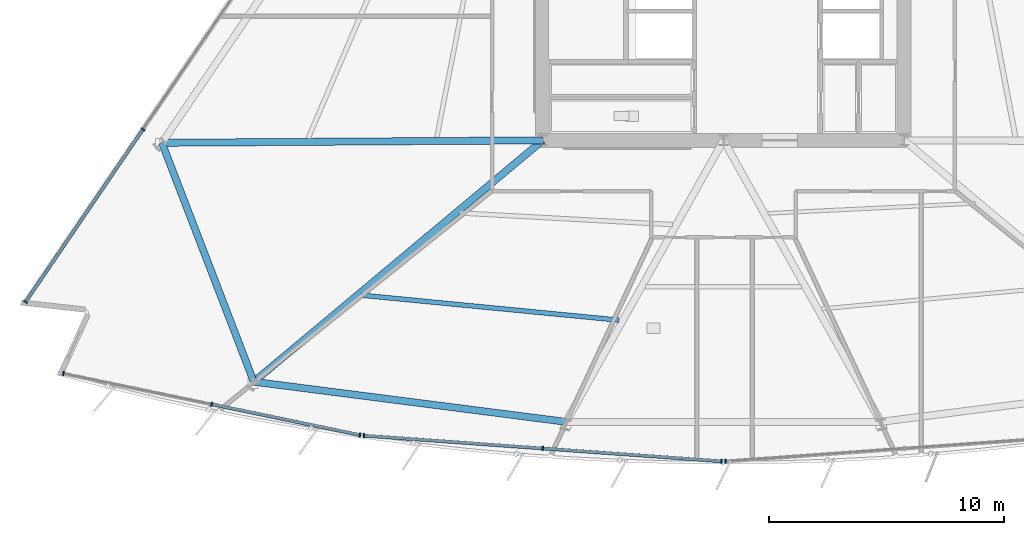
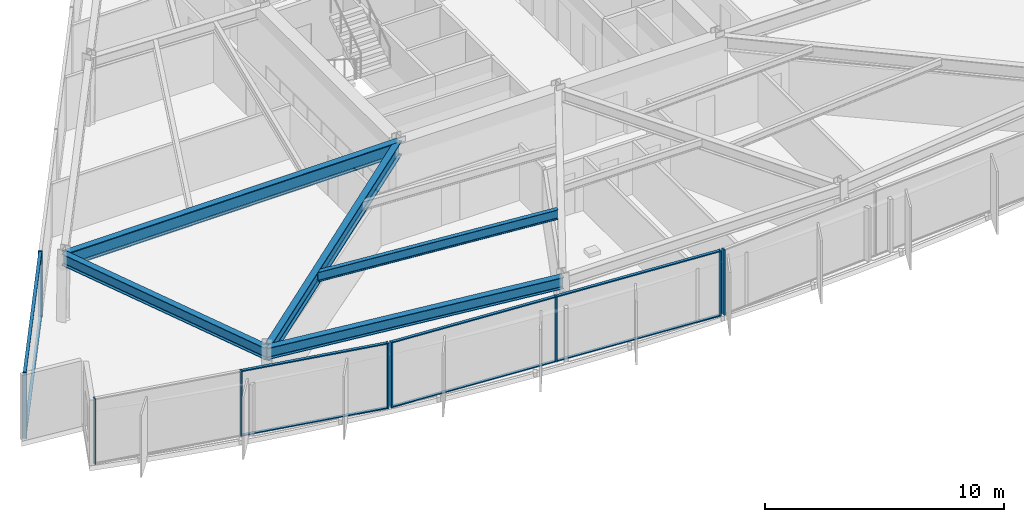
# One storey, part 2 of 18: 17 members, 5 beams, 4 elements without a shape of their own.
"""IFC4 building model written with IfcOpenShell, lengths in metres."""

import ifcopenshell
import ifcopenshell.guid

model = None  # the IFC model being written
_history = None  # IfcOwnerHistory: only IFC2X3 demands one
_inside = {}  # id of a spatial element -> (the spatial element, [elements in it])
_under = {}  # id of a project, library or spatial element -> (it, [spatial elements below it])
_declared = {}  # id of a project -> (the project, [libraries it declares])
_typed = {}  # id of a type object -> (the type object, [elements of that type])
_made_of = {}  # id of a material, layer set ... -> (it, [elements and type objects made of it])


def new_model(schema):
    """Start an empty IFC model of exactly this schema.

    Asked for "IFC4X3", IfcOpenShell would pick the latest addendum, in which some entities
    have other attributes; the version numbers below select the first issue.
    IFC2X3 requires an IfcOwnerHistory on every rooted entity: one is made here for all.
    """
    global model, _history
    if schema == "IFC4X3":
        model = ifcopenshell.file(schema_version=(4, 3, 0, 0))
    else:
        model = ifcopenshell.file(schema=schema)
    _inside.clear()
    _under.clear()
    _declared.clear()
    _typed.clear()
    _made_of.clear()
    _history = None
    if model.schema == "IFC2X3":
        org = make("IfcOrganization", Name="unknown")
        user = make(
            "IfcPersonAndOrganization",
            ThePerson=make("IfcPerson", FamilyName="unknown"),
            TheOrganization=org,
        )
        app = make(
            "IfcApplication",
            ApplicationDeveloper=org,
            Version="unknown",
            ApplicationFullName="unknown",
            ApplicationIdentifier="unknown",
        )
        _history = make(
            "IfcOwnerHistory",
            OwningUser=user,
            OwningApplication=app,
            ChangeAction="ADDED",
            CreationDate=0,
        )
    return model


def make(cls, **values):
    """One entity of the class cls with the attributes given. An attribute that is None is left unset."""
    return model.create_entity(
        cls, **{name: value for name, value in values.items() if value is not None}
    )


def rooted(cls, **values):
    """An entity with a GlobalId (a new one), such as an element, a storey or a relation."""
    return make(cls, GlobalId=ifcopenshell.guid.new(), OwnerHistory=_history, **values)


def si_unit(unit_type, name, prefix=None):
    """IfcSIUnit, for example si_unit("LENGTHUNIT", "METRE", prefix="MILLI")."""
    return make("IfcSIUnit", UnitType=unit_type, Prefix=prefix, Name=name)


def assignment(units):
    """IfcUnitAssignment: the units of a project."""
    return None if units is None else make("IfcUnitAssignment", Units=units)


def point(xyz):
    """IfcCartesianPoint."""
    return None if xyz is None else make("IfcCartesianPoint", Coordinates=xyz)


def direction(xyz):
    """IfcDirection."""
    return None if xyz is None else make("IfcDirection", DirectionRatios=xyz)


def frame(location, z_axis=None, x_axis=None):
    """IfcAxis2Placement3D, a coordinate frame: its origin and axes. An axis left out is left unset."""
    return make(
        "IfcAxis2Placement3D",
        Location=point(location),
        Axis=direction(z_axis),
        RefDirection=direction(x_axis),
    )


def frame_2d(location, x_axis=None):
    """IfcAxis2Placement2D, a coordinate frame in the plane: its origin and x axis."""
    return make(
        "IfcAxis2Placement2D", Location=point(location), RefDirection=direction(x_axis)
    )


def origin():
    """The frame at (0, 0, 0) with its axes left unset."""
    return frame((0.0, 0.0, 0.0))


def origin_2d():
    """The frame at (0, 0) in the plane with its x axis left unset."""
    return frame_2d((0.0, 0.0))


def place(relative_to, where):
    """IfcLocalPlacement: puts the frame where relative to a parent placement (None: the world)."""
    return make(
        "IfcLocalPlacement", PlacementRelTo=relative_to, RelativePlacement=where
    )


def context(
    kind, dimensions, precision=None, world=None, true_north=None, identifier=None
):
    """IfcGeometricRepresentationContext, for example the 3D "Model" context."""
    return make(
        "IfcGeometricRepresentationContext",
        ContextIdentifier=identifier,
        ContextType=kind,
        CoordinateSpaceDimension=dimensions,
        Precision=precision,
        WorldCoordinateSystem=world,
        TrueNorth=true_north,
    )


def subcontext(parent, identifier, kind, view, scale=None):
    """IfcGeometricRepresentationSubContext, for example "Body" below "Model"."""
    return make(
        "IfcGeometricRepresentationSubContext",
        ContextIdentifier=identifier,
        ContextType=kind,
        ParentContext=parent,
        TargetScale=scale,
        TargetView=view,
    )


def project(units=None, contexts=None):
    """IfcProject with its units and contexts."""
    return rooted(
        "IfcProject",
        Name="project",
        RepresentationContexts=contexts,
        UnitsInContext=assignment(units),
    )


def spatial(cls, under=None, at=None, **own):
    """A site, building, storey or space (cls), placed at a placement, below another one or the project."""
    s = rooted(cls, ObjectPlacement=at, **own)
    if under is not None:
        _under.setdefault(under.id(), (under, []))[1].append(s)
    return s


def profile(cls, at=None, kind="AREA", **sizes):
    """A parametric profile (cls). Its sizes go by their IFC names, for example OverallWidth=200.0."""
    return make(cls, ProfileType=kind, Position=at, **sizes)


def rectangle(**sizes):
    """IfcRectangleProfileDef."""
    return profile("IfcRectangleProfileDef", **sizes)


def i_section(**sizes):
    """IfcIShapeProfileDef."""
    return profile("IfcIShapeProfileDef", **sizes)


def extrude(swept, where, along, depth):
    """IfcExtrudedAreaSolid: the profile swept, set in the frame where, extruded along a direction by depth."""
    return make(
        "IfcExtrudedAreaSolid",
        SweptArea=swept,
        Position=where,
        ExtrudedDirection=direction(along),
        Depth=depth,
    )


def shape(context_of_items, identifier, shape_type, items):
    """IfcShapeRepresentation: the items that make up one representation, for example the "Body"."""
    return make(
        "IfcShapeRepresentation",
        ContextOfItems=context_of_items,
        RepresentationIdentifier=identifier,
        RepresentationType=shape_type,
        Items=items,
    )


def material(Name=None, Category=None):
    """IfcMaterial."""
    return make("IfcMaterial", Name=Name, Category=Category)


def material_profile(
    of_material, cross_section, Name=None, Category=None, Priority=None
):
    """IfcMaterialProfile: a cross section and its material."""
    return make(
        "IfcMaterialProfile",
        Name=Name,
        Material=of_material,
        Profile=cross_section,
        Priority=Priority,
        Category=Category,
    )


def profile_set(profiles, Name=None, composite=None):
    """IfcMaterialProfileSet."""
    return make(
        "IfcMaterialProfileSet",
        Name=Name,
        MaterialProfiles=profiles,
        CompositeProfile=composite,
    )


def made_of(thing, what):
    """Note that an element or type object is made of a material, layer set ...; save() writes the relation."""
    if what is not None:
        _made_of.setdefault(what.id(), (what, []))[1].append(thing)
    return thing


def type_object(cls, material=None, **own):
    """A type object (cls), such as IfcWallType, which elements share."""
    return made_of(rooted(cls, **own), material)


def element(
    cls,
    number,
    at=None,
    inside=None,
    cuts=None,
    type_object=None,
    material=None,
    context=None,
    identifier="Body",
    shape_type=None,
    held_by="IfcProductDefinitionShape",
    body=None,
    shapes=None,
    **own,
):
    """One element of the class cls, such as IfcWall. Its Tag is "e" and its number.

    at: its placement. inside: the storey or other place that contains it. cuts: it is an
    opening in that element (IfcRelVoidsElement). A single representation is given by context,
    identifier, shape_type and body (its items); several are given by shapes. held_by: the class
    of the entity that holds the representations. save() writes the other relations.
    """
    e = rooted(cls, Tag="e%d" % number, ObjectPlacement=at, **own)
    if body is not None:
        shapes = [shape(context, identifier, shape_type, body)]
    if shapes is not None:
        e.Representation = make(held_by, Representations=shapes)
    if inside is not None:
        _inside.setdefault(inside.id(), (inside, []))[1].append(e)
    if cuts is not None:
        rooted(
            "IfcRelVoidsElement", RelatingBuildingElement=cuts, RelatedOpeningElement=e
        )
    if type_object is not None:
        _typed.setdefault(type_object.id(), (type_object, []))[1].append(e)
    return made_of(e, material)


def aggregate(whole, parts):
    """IfcRelAggregates: a whole, such as a stair, and the parts it consists of."""
    return rooted("IfcRelAggregates", RelatingObject=whole, RelatedObjects=parts)


def save(model, path):
    """Write the relations noted so far, then the file.

    IfcRelAggregates (storeys below a building ...), IfcRelContainedInSpatialStructure (elements
    in a storey), IfcRelDefinesByType, IfcRelAssociatesMaterial and IfcRelDeclares: one each for
    every whole, place, type object, material and project.
    """
    for whole, parts in _under.values():
        aggregate(whole, parts)
    for where, things in _inside.values():
        rooted(
            "IfcRelContainedInSpatialStructure",
            RelatedElements=things,
            RelatingStructure=where,
        )
    for kind, things in _typed.values():
        rooted("IfcRelDefinesByType", RelatedObjects=things, RelatingType=kind)
    for what, things in _made_of.values():
        rooted("IfcRelAssociatesMaterial", RelatedObjects=things, RelatingMaterial=what)
    for by, libraries in _declared.values():
        rooted("IfcRelDeclares", RelatingContext=by, RelatedDefinitions=libraries)
    model.write(path)


model = new_model("IFC4")

# Units and contexts
model_context = context("Model", 3, precision=1e-05, world=origin(), true_north=direction((0.0, 1.0)))
body_context = subcontext(model_context, "Body", "Model", "MODEL_VIEW")
ifc_project = project(units=[si_unit("LENGTHUNIT", "METRE"), si_unit("AREAUNIT", "SQUARE_METRE"), si_unit("VOLUMEUNIT", "CUBIC_METRE"), si_unit("PLANEANGLEUNIT", "RADIAN"), si_unit("MASSUNIT", "GRAM", prefix="KILO")], contexts=[model_context])

# Site, building, storey
site_placement = place(None, origin())
site = spatial("IfcSite", under=ifc_project, at=site_placement, CompositionType="ELEMENT")
building_placement = place(site_placement, origin())
building = spatial("IfcBuilding", under=site, at=building_placement, Name="Savorim Split Tower", CompositionType="ELEMENT")
storey_placement = place(building_placement, frame((0.0, 0.0, 40.800048828125)))
storey = spatial("IfcBuildingStorey", under=building, at=storey_placement, Name="L10", CompositionType="ELEMENT", Elevation=40.800048828125)

# Beams
ifc_material_1 = material(Name="Steel S355", Category="steel")
ifc_material_profile_1 = material_profile(ifc_material_1, i_section(OverallWidth=0.199951171875, OverallDepth=0.5, WebThickness=0.01025390625, FlangeThickness=0.01611328125, FilletRadius=0.02099609375, at=origin_2d()), Name="IPE 500")
ifc_profile_set_1 = profile_set([ifc_material_profile_1], Name="Steel S355")
beam_type_1 = type_object("IfcBeamType", Name="BM-JST-IPE500", PredefinedType="JOIST", material=ifc_profile_set_1)
beam_1_placement = place(storey_placement, frame((-15.42041015625, -15.9990234375, 3.099853515625), z_axis=(0.995341033183, -0.096416946968, 0.0), x_axis=(0.096416946968, 0.995341033183, 0.0)))
element("IfcBeam", 1, at=beam_1_placement, inside=storey, type_object=beam_type_1, Name="L10 Secondary Floor Joist JS-01", PredefinedType="JOIST", context=body_context, shape_type="SweptSolid", body=[
    extrude(i_section(OverallWidth=0.199951171875, OverallDepth=0.5, WebThickness=0.01025390625, FlangeThickness=0.01611328125, FilletRadius=0.02099609375, at=origin_2d()), origin(), (0.0, 0.0, 1.0), 11.019775390625),
])
ifc_material_2 = material(Name="Steel S460", Category="steel")
ifc_material_profile_2 = material_profile(ifc_material_2, i_section(OverallWidth=0.303955078125, OverallDepth=0.716064453125, WebThickness=0.02099609375, FlangeThickness=0.0400390625, FilletRadius=0.027099609375, at=origin_2d()), Name="HE 700 M")
ifc_profile_set_2 = profile_set([ifc_material_profile_2], Name="Steel S460")
beam_type_2 = type_object("IfcBeamType", Name="BM-PRI-HEM700", PredefinedType="BEAM", material=ifc_profile_set_2)
beam_2_placement = place(storey_placement, frame((-20.01171875, -19.68701171875, 2.991943359375), z_axis=(0.767383682, 0.641188181894, 0.0), x_axis=(-0.641188181894, 0.767383682, 0.0)))
element("IfcBeam", 2, at=beam_2_placement, inside=storey, type_object=beam_type_2, Name="L10 Primary Floor Girder RG-01", PredefinedType="BEAM", context=body_context, shape_type="SweptSolid", body=[
    extrude(i_section(OverallWidth=0.303955078125, OverallDepth=0.716064453125, WebThickness=0.02099609375, FlangeThickness=0.0400390625, FilletRadius=0.027099609375, at=origin_2d()), origin(), (0.0, 0.0, 1.0), 16.043701171875),
])
beam_3_placement = place(storey_placement, frame((-23.928955078125, -9.504150390625, 2.991943359375), z_axis=(0.999979369551, 0.006423431579, 0.0), x_axis=(-0.006423431579, 0.999979369551, 0.0)))
element("IfcBeam", 3, at=beam_3_placement, inside=storey, type_object=beam_type_2, Name="L10 Primary Floor Girder RG-10", PredefinedType="BEAM", context=body_context, shape_type="SweptSolid", body=[
    extrude(i_section(OverallWidth=0.303955078125, OverallDepth=0.716064453125, WebThickness=0.02099609375, FlangeThickness=0.0400390625, FilletRadius=0.027099609375, at=origin_2d()), origin(), (0.0, 0.0, 1.0), 16.229248046875),
])
ifc_material_profile_3 = material_profile(ifc_material_1, i_section(OverallWidth=0.300048828125, OverallDepth=0.590087890625, WebThickness=0.012939453125, FlangeThickness=0.02490234375, FilletRadius=0.027099609375, at=origin_2d()), Name="HEA 600")
ifc_profile_set_3 = profile_set([ifc_material_profile_3], Name="Steel S355")
beam_type_3 = type_object("IfcBeamType", Name="BM-SPN-HEA600", PredefinedType="SPANDREL", material=ifc_profile_set_3)
beam_4_placement = place(storey_placement, frame((-20.01171875, -19.68701171875, 3.054931640625), z_axis=(0.991860224278, -0.127331439538, 0.0), x_axis=(0.127331439538, 0.991860224278, 0.0)))
element("IfcBeam", 4, at=beam_4_placement, inside=storey, type_object=beam_type_3, Name="L10 Perimeter Spandrel Beam 1", PredefinedType="SPANDREL", context=body_context, shape_type="SweptSolid", body=[
    extrude(i_section(OverallWidth=0.300048828125, OverallDepth=0.590087890625, WebThickness=0.012939453125, FlangeThickness=0.02490234375, FilletRadius=0.027099609375, at=origin_2d()), origin(), (0.0, 0.0, 1.0), 13.413818359375),
])
beam_5_placement = place(storey_placement, frame((-23.928955078125, -9.504150390625, 3.054931640625), z_axis=(0.359039058171, -0.933322535198, 0.0), x_axis=(0.933322535198, 0.359039058171, 0.0)))
element("IfcBeam", 5, at=beam_5_placement, inside=storey, type_object=beam_type_3, Name="L10 Perimeter Spandrel Beam 10", PredefinedType="SPANDREL", context=body_context, shape_type="SweptSolid", body=[
    extrude(i_section(OverallWidth=0.300048828125, OverallDepth=0.590087890625, WebThickness=0.012939453125, FlangeThickness=0.02490234375, FilletRadius=0.027099609375, at=origin_2d()), origin(), (0.0, 0.0, 1.0), 10.910400390625),
])

# Curtain wall, members
ifc_material_3 = material(Name="Dark Ceramic-Fritted Insulated Glass", Category="glass")
curtain_wall_type = type_object("IfcCurtainWallType", Name="CW-TWR-FRIT-A", PredefinedType="NOTDEFINED", material=ifc_material_3)
curtain_wall_1_placement = place(storey_placement, origin())
curtain_wall_1 = element("IfcCurtainWall", 6, at=curtain_wall_1_placement, inside=storey, type_object=curtain_wall_type, Name="L10 Curtain Wall CW-L10-SF1", PredefinedType="NOTDEFINED")
ifc_material_4 = material(Name="Charcoal Anodised Aluminium", Category="aluminium")
ifc_material_profile_4 = material_profile(ifc_material_4, rectangle(XDim=0.179931640625, YDim=0.06494140625, at=origin_2d()), Name="ALU-M 180x65")
ifc_profile_set_4 = profile_set([ifc_material_profile_4], Name="Charcoal Anodised Aluminium")
member_type_1 = type_object("IfcMemberType", Name="CWM-180x65", PredefinedType="MULLION", material=ifc_profile_set_4)
member_1_placement = place(storey_placement, frame((-28.12841796875, -19.333740234375, 0.0), z_axis=(0.0, 0.0, 1.0), x_axis=(0.203210322793, 0.979135110549, 0.0)))
member_1 = element("IfcMember", 7, at=member_1_placement, type_object=member_type_1, Name="CW-02 mullion 1", PredefinedType="MULLION", context=body_context, shape_type="SweptSolid", body=[
    extrude(rectangle(XDim=0.179931640625, YDim=0.06494140625, at=origin_2d()), origin(), (0.0, 0.0, 1.0), 3.349853515625),
])
member_2_placement = place(storey_placement, frame((-21.807861328125, -20.6455078125, 0.0), z_axis=(0.0, 0.0, 1.0), x_axis=(0.203210322793, 0.979135110549, 0.0)))
member_2 = element("IfcMember", 8, at=member_2_placement, type_object=member_type_1, Name="CW-02 mullion 2", PredefinedType="MULLION", context=body_context, shape_type="SweptSolid", body=[
    extrude(rectangle(XDim=0.179931640625, YDim=0.06494140625, at=origin_2d()), origin(), (0.0, 0.0, 1.0), 3.349853515625),
])
member_3_placement = place(storey_placement, frame((-15.487548828125, -21.957275390625, 0.0), z_axis=(0.0, 0.0, 1.0), x_axis=(0.203210322793, 0.979135110549, 0.0)))
member_3 = element("IfcMember", 9, at=member_3_placement, type_object=member_type_1, Name="CW-02 mullion 3", PredefinedType="MULLION", context=body_context, shape_type="SweptSolid", body=[
    extrude(rectangle(XDim=0.179931640625, YDim=0.06494140625, at=origin_2d()), origin(), (0.0, 0.0, 1.0), 3.349853515625),
])

curtain_wall_2_placement = place(storey_placement, origin())
curtain_wall_2 = element("IfcCurtainWall", 10, at=curtain_wall_2_placement, inside=storey, type_object=curtain_wall_type, Name="L10 Curtain Wall CW-L10-SF2", PredefinedType="NOTDEFINED")
member_4_placement = place(storey_placement, frame((-15.320556640625, -21.98046875, 0.0), z_axis=(0.0, 0.0, 1.0), x_axis=(0.071560199658, 0.997436282589, 0.0)))
member_4 = element("IfcMember", 11, at=member_4_placement, type_object=member_type_1, Name="CW-02 mullion 1", PredefinedType="MULLION", context=body_context, shape_type="SweptSolid", body=[
    extrude(rectangle(XDim=0.179931640625, YDim=0.06494140625, at=origin_2d()), origin(), (0.0, 0.0, 1.0), 3.349853515625),
])
member_5_placement = place(storey_placement, frame((-7.7021484375, -22.527099609375, 0.0), z_axis=(0.0, 0.0, 1.0), x_axis=(0.071560199658, 0.997436282589, 0.0)))
member_5 = element("IfcMember", 12, at=member_5_placement, type_object=member_type_1, Name="CW-02 mullion 2", PredefinedType="MULLION", context=body_context, shape_type="SweptSolid", body=[
    extrude(rectangle(XDim=0.179931640625, YDim=0.06494140625, at=origin_2d()), origin(), (0.0, 0.0, 1.0), 3.349853515625),
])
member_6_placement = place(storey_placement, frame((-0.083740234375, -23.07373046875, 0.0), z_axis=(0.0, 0.0, 1.0), x_axis=(0.071560199658, 0.997436282589, 0.0)))
member_6 = element("IfcMember", 13, at=member_6_placement, type_object=member_type_1, Name="CW-02 mullion 3", PredefinedType="MULLION", context=body_context, shape_type="SweptSolid", body=[
    extrude(rectangle(XDim=0.179931640625, YDim=0.06494140625, at=origin_2d()), origin(), (0.0, 0.0, 1.0), 3.349853515625),
])

# Curtain wall, member
curtain_wall_3_placement = place(storey_placement, origin())
curtain_wall_3 = element("IfcCurtainWall", 14, at=curtain_wall_3_placement, inside=storey, type_object=curtain_wall_type, Name="L10 Curtain Wall CW-L10-SF3", PredefinedType="NOTDEFINED")
member_7_placement = place(storey_placement, frame((0.083740234375, -23.07373046875, 0.0), z_axis=(0.0, 0.0, 1.0), x_axis=(-0.071560199658, 0.997436282589, 0.0)))
member_7 = element("IfcMember", 15, at=member_7_placement, type_object=member_type_1, Name="CW-02 mullion 1", PredefinedType="MULLION", context=body_context, shape_type="SweptSolid", body=[
    extrude(rectangle(XDim=0.179931640625, YDim=0.06494140625, at=origin_2d()), origin(), (0.0, 0.0, 1.0), 3.349853515625),
])
aggregate(curtain_wall_3, [member_7])

# Curtain wall, members
curtain_wall_4_placement = place(storey_placement, origin())
curtain_wall_4 = element("IfcCurtainWall", 16, at=curtain_wall_4_placement, inside=storey, type_object=curtain_wall_type, Name="L10 Curtain Wall CW-L10-WEST", PredefinedType="NOTDEFINED")
member_8_placement = place(storey_placement, frame((-24.735107421875, -8.93408203125, 0.0), z_axis=(0.0, 0.0, 1.0), x_axis=(0.826820923165, -0.562465253164, 0.0)))
member_8 = element("IfcMember", 17, at=member_8_placement, type_object=member_type_1, Name="CW-02 mullion 4", PredefinedType="MULLION", context=body_context, shape_type="SweptSolid", body=[
    extrude(rectangle(XDim=0.179931640625, YDim=0.06494140625, at=origin_2d()), origin(), (0.0, 0.0, 1.0), 3.349853515625),
])
member_9_placement = place(storey_placement, frame((-29.73388671875, -16.2822265625, 0.0), z_axis=(0.0, 0.0, 1.0), x_axis=(0.826820923165, -0.562465253164, 0.0)))
member_9 = element("IfcMember", 18, at=member_9_placement, type_object=member_type_1, Name="CW-02 mullion 5", PredefinedType="MULLION", context=body_context, shape_type="SweptSolid", body=[
    extrude(rectangle(XDim=0.179931640625, YDim=0.06494140625, at=origin_2d()), origin(), (0.0, 0.0, 1.0), 3.349853515625),
])

# Member
ifc_material_profile_5 = material_profile(ifc_material_4, rectangle(XDim=0.139892578125, YDim=0.054931640625, at=origin_2d()), Name="ALU-T 140x55")
ifc_profile_set_5 = profile_set([ifc_material_profile_5], Name="Charcoal Anodised Aluminium")
member_type_2 = type_object("IfcMemberType", Name="CWT-140x55", PredefinedType="USERDEFINED", material=ifc_profile_set_5)
member_10_placement = place(storey_placement, frame((-21.776123046875, -20.652099609375, 0.02734375), z_axis=(0.979133980901, -0.203215765741, 0.0), x_axis=(0.203215765741, 0.979133980901, 0.0)))
member_10 = element("IfcMember", 19, at=member_10_placement, type_object=member_type_2, Name="CW-02 transom 2.1", ObjectType="TRANSOM", PredefinedType="USERDEFINED", context=body_context, shape_type="SweptSolid", body=[
    extrude(rectangle(XDim=0.139892578125, YDim=0.054931640625, at=origin_2d()), origin(), (0.0, 0.0, 1.0), 6.39013671875),
])

member_11_placement = place(storey_placement, frame((-21.776123046875, -20.652099609375, 3.322509765625), z_axis=(0.979133980901, -0.203215765741, 0.0), x_axis=(0.203215765741, 0.979133980901, 0.0)))
member_11 = element("IfcMember", 20, at=member_11_placement, type_object=member_type_2, Name="CW-02 transom 2.2", ObjectType="TRANSOM", PredefinedType="USERDEFINED", context=body_context, shape_type="SweptSolid", body=[
    extrude(rectangle(XDim=0.139892578125, YDim=0.054931640625, at=origin_2d()), origin(), (0.0, 0.0, 1.0), 6.39013671875),
])

aggregate(curtain_wall_1, [member_1, member_2, member_3, member_10, member_11])

member_12_placement = place(storey_placement, frame((-15.2880859375, -21.98291015625, 0.02734375), z_axis=(0.997437873969, -0.071538014879, 0.0), x_axis=(0.071538014879, 0.997437873969, 0.0)))
member_12 = element("IfcMember", 21, at=member_12_placement, type_object=member_type_2, Name="CW-02 transom 1.1", ObjectType="TRANSOM", PredefinedType="USERDEFINED", context=body_context, shape_type="SweptSolid", body=[
    extrude(rectangle(XDim=0.139892578125, YDim=0.054931640625, at=origin_2d()), origin(), (0.0, 0.0, 1.0), 7.57275390625),
])

member_13_placement = place(storey_placement, frame((-15.2880859375, -21.98291015625, 3.322509765625), z_axis=(0.997437873969, -0.071538014879, 0.0), x_axis=(0.071538014879, 0.997437873969, 0.0)))
member_13 = element("IfcMember", 22, at=member_13_placement, type_object=member_type_2, Name="CW-02 transom 1.2", ObjectType="TRANSOM", PredefinedType="USERDEFINED", context=body_context, shape_type="SweptSolid", body=[
    extrude(rectangle(XDim=0.139892578125, YDim=0.054931640625, at=origin_2d()), origin(), (0.0, 0.0, 1.0), 7.57275390625),
])

member_14_placement = place(storey_placement, frame((-7.669677734375, -22.529541015625, 0.02734375), z_axis=(0.997437873969, -0.071538014879, 0.0), x_axis=(0.071538014879, 0.997437873969, 0.0)))
member_14 = element("IfcMember", 23, at=member_14_placement, type_object=member_type_2, Name="CW-02 transom 2.1", ObjectType="TRANSOM", PredefinedType="USERDEFINED", context=body_context, shape_type="SweptSolid", body=[
    extrude(rectangle(XDim=0.139892578125, YDim=0.054931640625, at=origin_2d()), origin(), (0.0, 0.0, 1.0), 7.57275390625),
])

member_15_placement = place(storey_placement, frame((-7.669677734375, -22.529541015625, 3.322509765625), z_axis=(0.997437873969, -0.071538014879, 0.0), x_axis=(0.071538014879, 0.997437873969, 0.0)))
member_15 = element("IfcMember", 24, at=member_15_placement, type_object=member_type_2, Name="CW-02 transom 2.2", ObjectType="TRANSOM", PredefinedType="USERDEFINED", context=body_context, shape_type="SweptSolid", body=[
    extrude(rectangle(XDim=0.139892578125, YDim=0.054931640625, at=origin_2d()), origin(), (0.0, 0.0, 1.0), 7.57275390625),
])

aggregate(curtain_wall_2, [member_4, member_5, member_6, member_12, member_13, member_14, member_15])

member_16_placement = place(storey_placement, frame((-24.75341796875, -8.9609375, 0.02734375), z_axis=(-0.562460641037, -0.826824060659, 0.0), x_axis=(0.826824060659, -0.562460641037, 0.0)))
member_16 = element("IfcMember", 25, at=member_16_placement, type_object=member_type_2, Name="CW-02 transom 4.1", ObjectType="TRANSOM", PredefinedType="USERDEFINED", context=body_context, shape_type="SweptSolid", body=[
    extrude(rectangle(XDim=0.139892578125, YDim=0.054931640625, at=origin_2d()), origin(), (0.0, 0.0, 1.0), 8.822265625),
])

member_17_placement = place(storey_placement, frame((-24.75341796875, -8.9609375, 3.322509765625), z_axis=(-0.562460641037, -0.826824060659, 0.0), x_axis=(0.826824060659, -0.562460641037, 0.0)))
member_17 = element("IfcMember", 26, at=member_17_placement, type_object=member_type_2, Name="CW-02 transom 4.2", ObjectType="TRANSOM", PredefinedType="USERDEFINED", context=body_context, shape_type="SweptSolid", body=[
    extrude(rectangle(XDim=0.139892578125, YDim=0.054931640625, at=origin_2d()), origin(), (0.0, 0.0, 1.0), 8.822265625),
])

aggregate(curtain_wall_4, [member_8, member_9, member_16, member_17])

save(model, "model.ifc")
